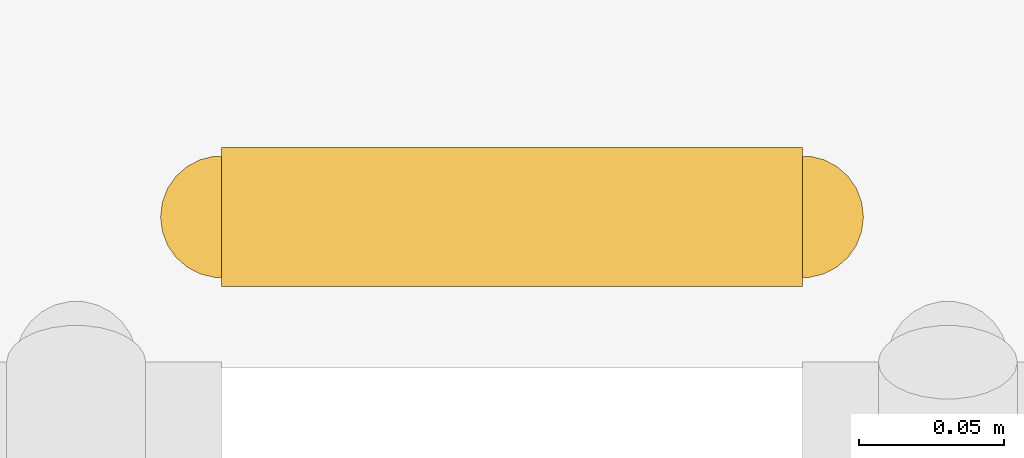
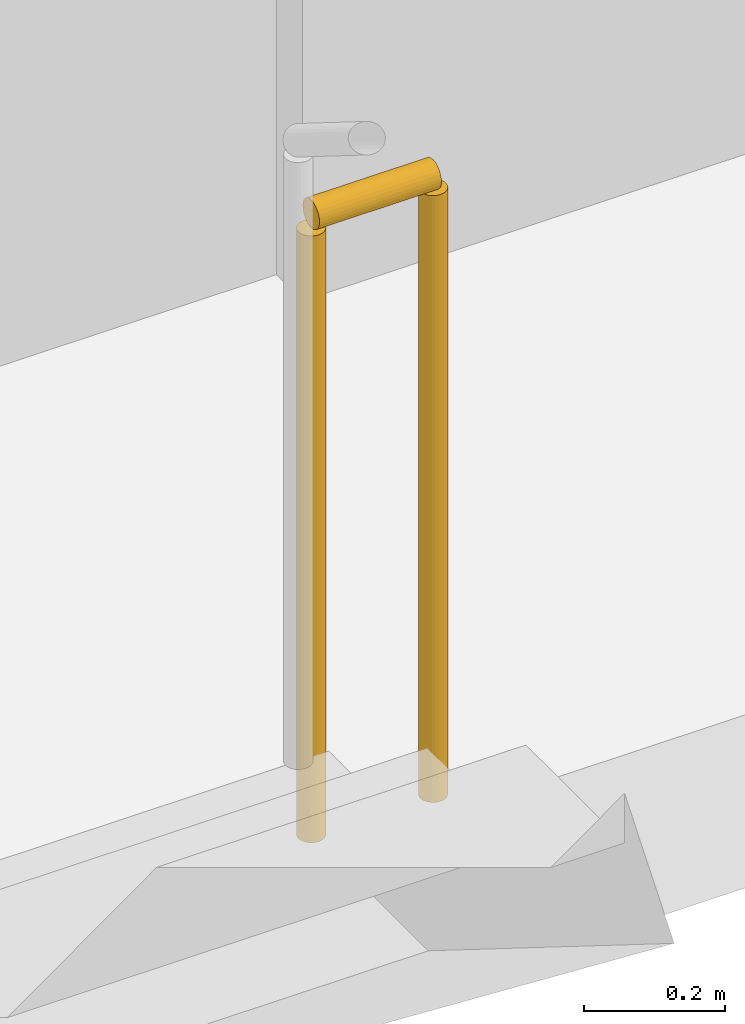
# One storey, part 22 of 22: 1 railing.
"""IFC4 building model written with IfcOpenShell, lengths in metres."""

import ifcopenshell
import ifcopenshell.guid

model = None  # the IFC model being written
_history = None  # IfcOwnerHistory: only IFC2X3 demands one
_inside = {}  # id of a spatial element -> (the spatial element, [elements in it])
_under = {}  # id of a project, library or spatial element -> (it, [spatial elements below it])
_declared = {}  # id of a project -> (the project, [libraries it declares])
_typed = {}  # id of a type object -> (the type object, [elements of that type])
_made_of = {}  # id of a material, layer set ... -> (it, [elements and type objects made of it])


def new_model(schema):
    """Start an empty IFC model of exactly this schema.

    Asked for "IFC4X3", IfcOpenShell would pick the latest addendum, in which some entities
    have other attributes; the version numbers below select the first issue.
    IFC2X3 requires an IfcOwnerHistory on every rooted entity: one is made here for all.
    """
    global model, _history
    if schema == "IFC4X3":
        model = ifcopenshell.file(schema_version=(4, 3, 0, 0))
    else:
        model = ifcopenshell.file(schema=schema)
    _inside.clear()
    _under.clear()
    _declared.clear()
    _typed.clear()
    _made_of.clear()
    _history = None
    if model.schema == "IFC2X3":
        org = make("IfcOrganization", Name="unknown")
        user = make(
            "IfcPersonAndOrganization",
            ThePerson=make("IfcPerson", FamilyName="unknown"),
            TheOrganization=org,
        )
        app = make(
            "IfcApplication",
            ApplicationDeveloper=org,
            Version="unknown",
            ApplicationFullName="unknown",
            ApplicationIdentifier="unknown",
        )
        _history = make(
            "IfcOwnerHistory",
            OwningUser=user,
            OwningApplication=app,
            ChangeAction="ADDED",
            CreationDate=0,
        )
    return model


def make(cls, **values):
    """One entity of the class cls with the attributes given. An attribute that is None is left unset."""
    return model.create_entity(
        cls, **{name: value for name, value in values.items() if value is not None}
    )


def rooted(cls, **values):
    """An entity with a GlobalId (a new one), such as an element, a storey or a relation."""
    return make(cls, GlobalId=ifcopenshell.guid.new(), OwnerHistory=_history, **values)


def si_unit(unit_type, name, prefix=None):
    """IfcSIUnit, for example si_unit("LENGTHUNIT", "METRE", prefix="MILLI")."""
    return make("IfcSIUnit", UnitType=unit_type, Prefix=prefix, Name=name)


def assignment(units):
    """IfcUnitAssignment: the units of a project."""
    return None if units is None else make("IfcUnitAssignment", Units=units)


def point(xyz):
    """IfcCartesianPoint."""
    return None if xyz is None else make("IfcCartesianPoint", Coordinates=xyz)


def direction(xyz):
    """IfcDirection."""
    return None if xyz is None else make("IfcDirection", DirectionRatios=xyz)


def frame(location, z_axis=None, x_axis=None):
    """IfcAxis2Placement3D, a coordinate frame: its origin and axes. An axis left out is left unset."""
    return make(
        "IfcAxis2Placement3D",
        Location=point(location),
        Axis=direction(z_axis),
        RefDirection=direction(x_axis),
    )


def frame_2d(location, x_axis=None):
    """IfcAxis2Placement2D, a coordinate frame in the plane: its origin and x axis."""
    return make(
        "IfcAxis2Placement2D", Location=point(location), RefDirection=direction(x_axis)
    )


def origin():
    """The frame at (0, 0, 0) with its axes left unset."""
    return frame((0.0, 0.0, 0.0))


def origin_2d():
    """The frame at (0, 0) in the plane with its x axis left unset."""
    return frame_2d((0.0, 0.0))


def place(relative_to, where):
    """IfcLocalPlacement: puts the frame where relative to a parent placement (None: the world)."""
    return make(
        "IfcLocalPlacement", PlacementRelTo=relative_to, RelativePlacement=where
    )


def context(
    kind, dimensions, precision=None, world=None, true_north=None, identifier=None
):
    """IfcGeometricRepresentationContext, for example the 3D "Model" context."""
    return make(
        "IfcGeometricRepresentationContext",
        ContextIdentifier=identifier,
        ContextType=kind,
        CoordinateSpaceDimension=dimensions,
        Precision=precision,
        WorldCoordinateSystem=world,
        TrueNorth=true_north,
    )


def subcontext(parent, identifier, kind, view, scale=None):
    """IfcGeometricRepresentationSubContext, for example "Body" below "Model"."""
    return make(
        "IfcGeometricRepresentationSubContext",
        ContextIdentifier=identifier,
        ContextType=kind,
        ParentContext=parent,
        TargetScale=scale,
        TargetView=view,
    )


def project(units=None, contexts=None):
    """IfcProject with its units and contexts."""
    return rooted(
        "IfcProject",
        Name="project",
        RepresentationContexts=contexts,
        UnitsInContext=assignment(units),
    )


def spatial(cls, under=None, at=None, **own):
    """A site, building, storey or space (cls), placed at a placement, below another one or the project."""
    s = rooted(cls, ObjectPlacement=at, **own)
    if under is not None:
        _under.setdefault(under.id(), (under, []))[1].append(s)
    return s


def profile(cls, at=None, kind="AREA", **sizes):
    """A parametric profile (cls). Its sizes go by their IFC names, for example OverallWidth=200.0."""
    return make(cls, ProfileType=kind, Position=at, **sizes)


def circle(**sizes):
    """IfcCircleProfileDef."""
    return profile("IfcCircleProfileDef", **sizes)


def extrude(swept, where, along, depth):
    """IfcExtrudedAreaSolid: the profile swept, set in the frame where, extruded along a direction by depth."""
    return make(
        "IfcExtrudedAreaSolid",
        SweptArea=swept,
        Position=where,
        ExtrudedDirection=direction(along),
        Depth=depth,
    )


def shape(context_of_items, identifier, shape_type, items):
    """IfcShapeRepresentation: the items that make up one representation, for example the "Body"."""
    return make(
        "IfcShapeRepresentation",
        ContextOfItems=context_of_items,
        RepresentationIdentifier=identifier,
        RepresentationType=shape_type,
        Items=items,
    )


def material(Name=None, Category=None):
    """IfcMaterial."""
    return make("IfcMaterial", Name=Name, Category=Category)


def made_of(thing, what):
    """Note that an element or type object is made of a material, layer set ...; save() writes the relation."""
    if what is not None:
        _made_of.setdefault(what.id(), (what, []))[1].append(thing)
    return thing


def type_object(cls, material=None, **own):
    """A type object (cls), such as IfcWallType, which elements share."""
    return made_of(rooted(cls, **own), material)


def element(
    cls,
    number,
    at=None,
    inside=None,
    cuts=None,
    type_object=None,
    material=None,
    context=None,
    identifier="Body",
    shape_type=None,
    held_by="IfcProductDefinitionShape",
    body=None,
    shapes=None,
    **own,
):
    """One element of the class cls, such as IfcWall. Its Tag is "e" and its number.

    at: its placement. inside: the storey or other place that contains it. cuts: it is an
    opening in that element (IfcRelVoidsElement). A single representation is given by context,
    identifier, shape_type and body (its items); several are given by shapes. held_by: the class
    of the entity that holds the representations. save() writes the other relations.
    """
    e = rooted(cls, Tag="e%d" % number, ObjectPlacement=at, **own)
    if body is not None:
        shapes = [shape(context, identifier, shape_type, body)]
    if shapes is not None:
        e.Representation = make(held_by, Representations=shapes)
    if inside is not None:
        _inside.setdefault(inside.id(), (inside, []))[1].append(e)
    if cuts is not None:
        rooted(
            "IfcRelVoidsElement", RelatingBuildingElement=cuts, RelatedOpeningElement=e
        )
    if type_object is not None:
        _typed.setdefault(type_object.id(), (type_object, []))[1].append(e)
    return made_of(e, material)


def aggregate(whole, parts):
    """IfcRelAggregates: a whole, such as a stair, and the parts it consists of."""
    return rooted("IfcRelAggregates", RelatingObject=whole, RelatedObjects=parts)


def save(model, path):
    """Write the relations noted so far, then the file.

    IfcRelAggregates (storeys below a building ...), IfcRelContainedInSpatialStructure (elements
    in a storey), IfcRelDefinesByType, IfcRelAssociatesMaterial and IfcRelDeclares: one each for
    every whole, place, type object, material and project.
    """
    for whole, parts in _under.values():
        aggregate(whole, parts)
    for where, things in _inside.values():
        rooted(
            "IfcRelContainedInSpatialStructure",
            RelatedElements=things,
            RelatingStructure=where,
        )
    for kind, things in _typed.values():
        rooted("IfcRelDefinesByType", RelatedObjects=things, RelatingType=kind)
    for what, things in _made_of.values():
        rooted("IfcRelAssociatesMaterial", RelatedObjects=things, RelatingMaterial=what)
    for by, libraries in _declared.values():
        rooted("IfcRelDeclares", RelatingContext=by, RelatedDefinitions=libraries)
    model.write(path)


model = new_model("IFC4")

# Units and contexts
model_context = context("Model", 3, precision=1e-05, world=origin(), true_north=direction((0.0, 1.0)))
body_context = subcontext(model_context, "Body", "Model", "MODEL_VIEW")
ifc_project = project(units=[si_unit("LENGTHUNIT", "METRE"), si_unit("AREAUNIT", "SQUARE_METRE"), si_unit("VOLUMEUNIT", "CUBIC_METRE"), si_unit("PLANEANGLEUNIT", "RADIAN"), si_unit("MASSUNIT", "GRAM", prefix="KILO")], contexts=[model_context])

# Site, building, storey
site_placement = place(None, origin())
site = spatial("IfcSite", under=ifc_project, at=site_placement, CompositionType="ELEMENT")
building_placement = place(site_placement, origin())
building = spatial("IfcBuilding", under=site, at=building_placement, Name="Kiln Ring Residences", CompositionType="ELEMENT")
storey_placement = place(building_placement, frame((0.0, 0.0, 97.300048828125)))
storey = spatial("IfcBuildingStorey", under=building, at=storey_placement, Name="L24", CompositionType="ELEMENT", Elevation=97.300048828125)

# Railing
ifc_material = material(Name="Stainless steel", Category="steel")
railing_type = type_object("IfcRailingType", Name="CORE-STAIR-GUARD", PredefinedType="GUARDRAIL", material=ifc_material)
railing_placement = place(storey_placement, frame((22.0, 8.449951171875, 0.0)))
element("IfcRailing", 1, at=railing_placement, inside=storey, type_object=railing_type, Name="L24 E-STN stair guard 4", PredefinedType="GUARDRAIL", context=body_context, shape_type="SweptSolid", body=[
    extrude(circle(Radius=0.02392578125, at=origin_2d()), frame((0.0, 0.0, 1.076171875), z_axis=(1.0, 0.0, 0.0), x_axis=(0.0, 1.0, 0.0)), (0.0, 0.0, 1.0), 0.199951171875),
    extrude(circle(Radius=0.02099609375, at=origin_2d()), origin(), (0.0, 0.0, 1.0), 1.052001953125),
    extrude(circle(Radius=0.02099609375, at=origin_2d()), frame((0.199951171875, 0.0, 0.0)), (0.0, 0.0, 1.0), 1.052001953125),
])

save(model, "model.ifc")
